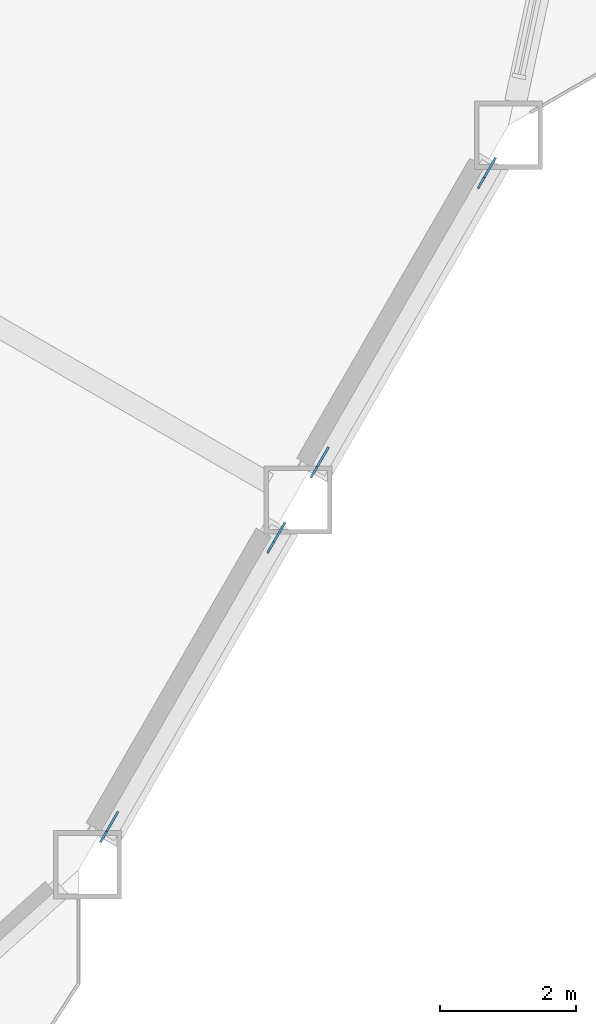
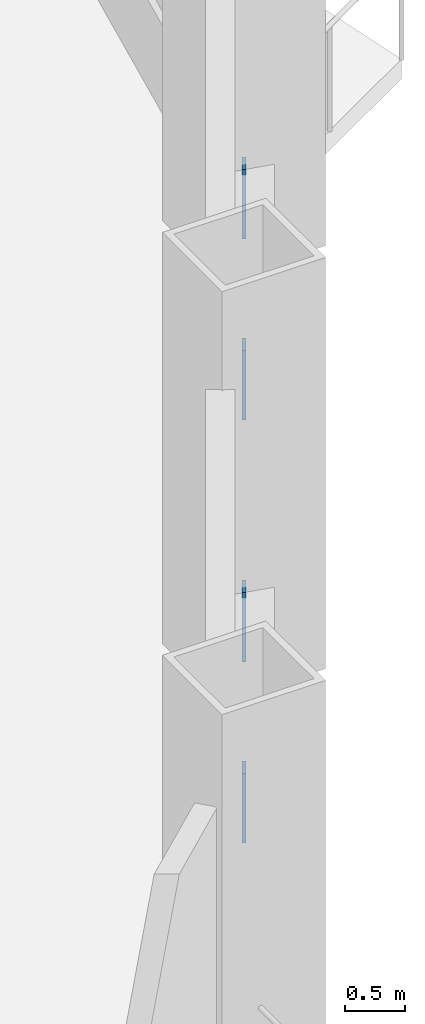
# One storey, part 15 of 21: 4 discrete accessories.
"""IFC4 building model written with IfcOpenShell, lengths in metres."""

from ifc_helpers import new_model, si_unit, direction, frame, origin, origin_2d, place, context, subcontext, project, spatial, rectangle, extrude, material, material_profile, profile_set, type_object, element, save


model = new_model("IFC4")

# Units and contexts
model_context = context("Model", 3, precision=1e-05, world=origin(), true_north=direction((0.0, 1.0)))
body_context = subcontext(model_context, "Body", "Model", "MODEL_VIEW")
ifc_project = project(units=[si_unit("LENGTHUNIT", "METRE"), si_unit("AREAUNIT", "SQUARE_METRE"), si_unit("VOLUMEUNIT", "CUBIC_METRE"), si_unit("PLANEANGLEUNIT", "RADIAN"), si_unit("MASSUNIT", "GRAM", prefix="KILO")], contexts=[model_context])

# Site, building, storey
site_placement = place(None, origin())
site = spatial("IfcSite", under=ifc_project, at=site_placement, CompositionType="ELEMENT")
building_placement = place(site_placement, origin())
building = spatial("IfcBuilding", under=site, at=building_placement, Name="Cormorant Prow Tower", CompositionType="ELEMENT")
storey_placement = place(building_placement, frame((0.0, 0.0, 80.39990234375)))
storey = spatial("IfcBuildingStorey", under=building, at=storey_placement, Name="L17", CompositionType="ELEMENT", Elevation=80.39990234375)

# Discrete accessories
ifc_material = material(Name="Structural steel ASTM A500 Gr C", Category="steel")
ifc_material_profile = material_profile(ifc_material, rectangle(XDim=0.031982421875, YDim=0.60791015625, at=origin_2d()), Name="Gusset plate 32x608")
ifc_profile_set = profile_set([ifc_material_profile], Name="Structural steel ASTM A500 Gr C")
discrete_accessory_type = type_object("IfcDiscreteAccessoryType", Name="Gusset plate 32x608", PredefinedType="BRACKET", material=ifc_profile_set)
discrete_accessory_1_placement = place(storey_placement, frame((27.512939453125, -16.813232421875, 0.859375), z_axis=(0.476464602218, 0.823872174553, -0.306946449452), x_axis=(-0.865660382551, 0.500631703033, 0.0)))
element("IfcDiscreteAccessory", 1, at=discrete_accessory_1_placement, inside=storey, type_object=discrete_accessory_type, Name="Gusset plate GP1 L17.ESE00.g0", PredefinedType="BRACKET", context=body_context, shape_type="SweptSolid", body=[
    extrude(rectangle(XDim=0.031982421875, YDim=0.60791015625, at=origin_2d()), origin(), (0.0, 0.0, 1.0), 0.349853515625),
])
for number, where, z_axis, x_axis, name in (
    (2, (25.232421875, -20.763427734375, 2.329833984375), (-0.475753220995, -0.824545905009, 0.306239976564), (0.866161185697, -0.499764745047, 0.0), "Gusset plate GP1 L17.ESE00.g1"),
    (3, (30.597900390625, -11.47021484375, 0.859375), (0.475651503409, 0.824369614413, -0.306871937683), (-0.866161185697, 0.499764745047, 0.0), "Gusset plate GP1 L17.ESE01.g0"),
):
    element("IfcDiscreteAccessory", number, at=place(storey_placement, frame(where, z_axis=z_axis, x_axis=x_axis)), inside=storey, type_object=discrete_accessory_type, Name=name, PredefinedType="BRACKET", context=body_context, shape_type="SweptSolid", body=[
        extrude(rectangle(XDim=0.031982421875, YDim=0.60791015625, at=origin_2d()), origin(), (0.0, 0.0, 1.0), 0.35009765625),
    ])
discrete_accessory_2_placement = place(storey_placement, frame((28.3173828125, -15.42041015625, 2.329833984375), z_axis=(-0.476566543187, -0.824048444368, 0.306314366704), x_axis=(0.865660382551, -0.500631703033, 0.0)))
element("IfcDiscreteAccessory", 4, at=discrete_accessory_2_placement, inside=storey, type_object=discrete_accessory_type, Name="Gusset plate GP1 L17.ESE01.g1", PredefinedType="BRACKET", context=body_context, shape_type="SweptSolid", body=[
    extrude(rectangle(XDim=0.031982421875, YDim=0.60791015625, at=origin_2d()), origin(), (0.0, 0.0, 1.0), 0.349853515625),
])

save(model, "model.ifc")
